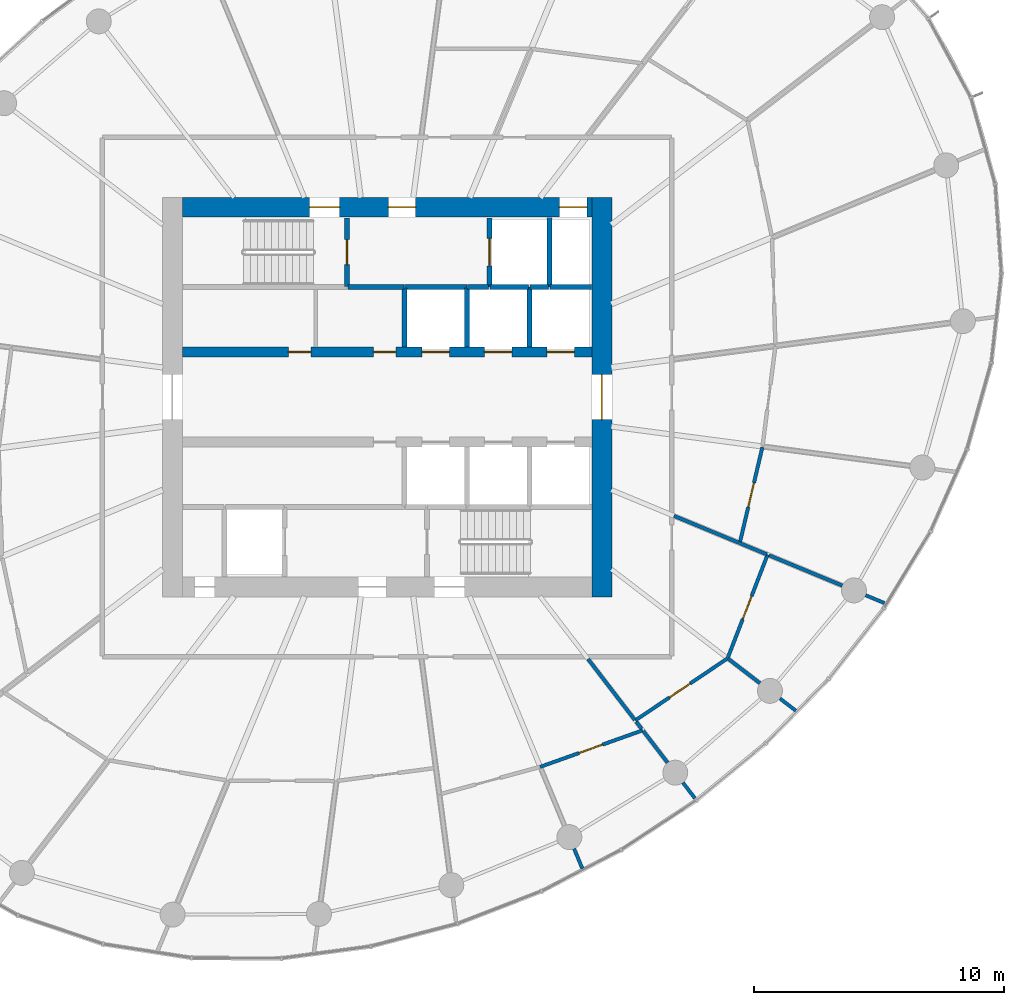
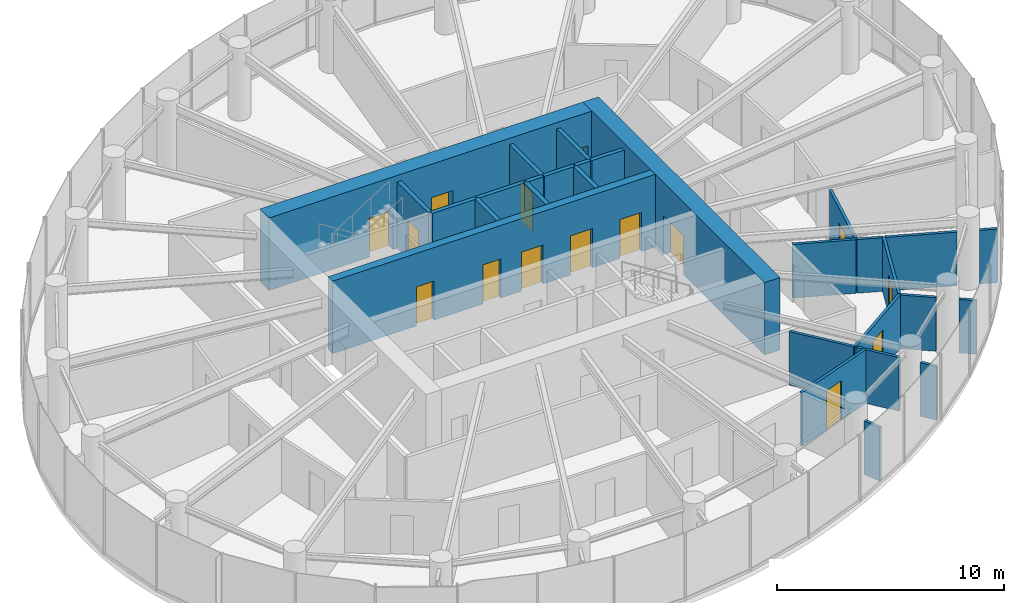
# One storey, part 10 of 14: 30 walls, 15 doors, 15 openings.
"""IFC4 building model written with IfcOpenShell, lengths in metres."""

from ifc_helpers import new_model, si_unit, direction, frame, frame_2d, origin, place, context, subcontext, project, spatial, rectangle, extrude, source, transform, mapped, material, layer, layer_set, type_object, element, fill, save


model = new_model("IFC4")

# Units and contexts
model_context = context("Model", 3, precision=1e-05, world=origin(), true_north=direction((0.0, 1.0)))
body_context = subcontext(model_context, "Body", "Model", "MODEL_VIEW")
ifc_project = project(units=[si_unit("LENGTHUNIT", "METRE"), si_unit("AREAUNIT", "SQUARE_METRE"), si_unit("VOLUMEUNIT", "CUBIC_METRE"), si_unit("PLANEANGLEUNIT", "RADIAN"), si_unit("MASSUNIT", "GRAM", prefix="KILO")], contexts=[model_context])

# Site, building, storey
site_placement = place(None, origin())
site = spatial("IfcSite", under=ifc_project, at=site_placement, CompositionType="ELEMENT")
building_placement = place(site_placement, origin())
building = spatial("IfcBuilding", under=site, at=building_placement, Name="Spindrift Exchange Tower", CompositionType="ELEMENT")
storey_placement = place(building_placement, frame((0.0, 0.0, 164.300048828125)))
storey = spatial("IfcBuildingStorey", under=building, at=storey_placement, Name="L39", CompositionType="ELEMENT", Elevation=164.300048828125)

# Wall, opening, door
ifc_material_1 = material(Name="Concrete 65 MPa", Category="concrete")
ifc_layer_1 = layer(ifc_material_1, 0.800048828125)
ifc_layer_set_1 = layer_set([ifc_layer_1], Name="RC Core Wall 800 Concrete 65 MPa")
wall_type_1 = type_object("IfcWallType", Name="RC Core Wall 800 Concrete 65 MPa", PredefinedType="SHEAR", material=ifc_layer_set_1)
wall_1_placement = place(storey_placement, frame((60.60009765625, 40.0, 0.0), z_axis=(0.0, 0.0, 1.0), x_axis=(0.0, 1.0, 0.0)))
wall_1 = element("IfcWall", 1, at=wall_1_placement, inside=storey, type_object=wall_type_1, Name="Core wall E L39", PredefinedType="SHEAR", context=body_context, shape_type="SweptSolid", body=[
    extrude(rectangle(XDim=16.0, YDim=0.800048828125, at=frame_2d((8.0, 0.0))), origin(), (0.0, 0.0, 1.0), 3.89990234375),
])
opening_1_placement = place(wall_1_placement, frame((7.10009765625, 0.0, 0.0)))
opening_1 = element("IfcOpeningElement", 2, at=opening_1_placement, cuts=wall_1, Name="Opening L39-D2", PredefinedType="OPENING", context=body_context, shape_type="SweptSolid", body=[
    extrude(rectangle(XDim=1.800048828125, YDim=2.10009765625, at=frame_2d((0.89990234375, 1.050048828125))), frame((0.0, 0.409912109375, 0.0), z_axis=(0.0, -1.0, 0.0), x_axis=(1.0, 0.0, 0.0)), (0.0, 0.0, 1.0), 0.820068359375),
])
ifc_material_2 = material(Name="Timber-core fire door", Category="wood")
door_type_1 = type_object("IfcDoorType", Name="DR-LOBBY-1800", OperationType="NOTDEFINED", PredefinedType="DOOR", material=ifc_material_2)
shared_shape_1 = source(origin(), body_context, "Body", "SweptSolid", [
    extrude(rectangle(XDim=1.800048828125, YDim=2.10009765625, at=frame_2d((0.89990234375, 1.050048828125))), frame((0.0, 0.02490234375, 0.0), z_axis=(0.0, -1.0, 0.0), x_axis=(1.0, 0.0, 0.0)), (0.0, 0.0, 1.0), 0.050048828125),
])
door_1_placement = place(opening_1_placement, origin())
door_1 = element("IfcDoor", 3, at=door_1_placement, inside=storey, type_object=door_type_1, Name="L39 Lobby door 2", OperationType="SINGLE_SWING_RIGHT", OverallHeight=2.10009765625, OverallWidth=1.800048828125, PredefinedType="DOOR", context=body_context, shape_type="MappedRepresentation", body=[
    mapped(shared_shape_1, transform((0.0, 0.0, 0.0), scale=1.0)),
])
fill(opening_1, door_1)

# Wall, openings, doors
wall_2_placement = place(storey_placement, frame((60.199951171875, 55.60009765625, 0.0), z_axis=(0.0, 0.0, 1.0), x_axis=(-1.0, 0.0, 0.0)))
wall_2 = element("IfcWall", 4, at=wall_2_placement, inside=storey, type_object=wall_type_1, Name="Core wall N L39", PredefinedType="SHEAR", context=body_context, shape_type="SweptSolid", body=[
    extrude(rectangle(XDim=16.39990234375, YDim=0.800048828125, at=frame_2d((8.199951171875, 0.0))), origin(), (0.0, 0.0, 1.0), 3.89990234375),
])
opening_2_placement = place(wall_2_placement, frame((0.199951171875, 0.0, 0.0)))
opening_2 = element("IfcOpeningElement", 5, at=opening_2_placement, cuts=wall_2, Name="Opening L39-D11", PredefinedType="OPENING", context=body_context, shape_type="SweptSolid", body=[
    extrude(rectangle(XDim=1.10009765625, YDim=2.10009765625, at=frame_2d((0.550048828125, 1.050048828125))), frame((0.0, 0.409912109375, 0.0), z_axis=(0.0, -1.0, 0.0), x_axis=(1.0, 0.0, 0.0)), (0.0, 0.0, 1.0), 0.820068359375),
])
opening_3_placement = place(wall_2_placement, frame((10.10009765625, 0.0, 0.0)))
opening_3 = element("IfcOpeningElement", 6, at=opening_3_placement, cuts=wall_2, Name="Opening L39-D12", PredefinedType="OPENING", context=body_context, shape_type="SweptSolid", body=[
    extrude(rectangle(XDim=1.199951171875, YDim=2.10009765625, at=frame_2d((0.60009765625, 1.050048828125))), frame((0.0, 0.409912109375, 0.0), z_axis=(0.0, -1.0, 0.0), x_axis=(1.0, 0.0, 0.0)), (0.0, 0.0, 1.0), 0.820068359375),
])
opening_4_placement = place(wall_2_placement, frame((7.050048828125, 0.0, 0.0)))
opening_4 = element("IfcOpeningElement", 7, at=opening_4_placement, cuts=wall_2, Name="Opening L39-D14", PredefinedType="OPENING", context=body_context, shape_type="SweptSolid", body=[
    extrude(rectangle(XDim=1.10009765625, YDim=2.10009765625, at=frame_2d((0.550048828125, 1.050048828125))), frame((0.0, 0.409912109375, 0.0), z_axis=(0.0, -1.0, 0.0), x_axis=(1.0, 0.0, 0.0)), (0.0, 0.0, 1.0), 0.820068359375),
])
ifc_material_3 = material(Name="Stainless steel landing door", Category="steel")
door_type_2 = type_object("IfcDoorType", Name="DR-LANDING-1100-SL", OperationType="DOUBLE_DOOR_SLIDING", PredefinedType="USERDEFINED", material=ifc_material_3)
shared_shape_2 = source(origin(), body_context, "Body", "SweptSolid", [
    extrude(rectangle(XDim=1.10009765625, YDim=2.10009765625, at=frame_2d((0.550048828125, 1.050048828125))), frame((0.0, 0.02490234375, 0.0), z_axis=(0.0, -1.0, 0.0), x_axis=(1.0, 0.0, 0.0)), (0.0, 0.0, 1.0), 0.050048828125),
])
door_2_placement = place(opening_2_placement, origin())
door_2 = element("IfcDoor", 8, at=door_2_placement, inside=storey, type_object=door_type_2, Name="L39 Lift landing door 11", ObjectType="LANDING DOOR", OperationType="DOUBLE_DOOR_SLIDING", OverallHeight=2.10009765625, OverallWidth=1.10009765625, PredefinedType="USERDEFINED", context=body_context, shape_type="MappedRepresentation", body=[
    mapped(shared_shape_2, transform((0.0, 0.0, 0.0), scale=1.0)),
])
fill(opening_2, door_2)
ifc_material_4 = material(Name="Steel fire door", Category="steel")
door_type_3 = type_object("IfcDoorType", Name="DR-STAIR-1200", OperationType="NOTDEFINED", PredefinedType="DOOR", material=ifc_material_4)
shared_shape_3 = source(origin(), body_context, "Body", "SweptSolid", [
    extrude(rectangle(XDim=1.199951171875, YDim=2.10009765625, at=frame_2d((0.60009765625, 1.050048828125))), frame((0.0, 0.02490234375, 0.0), z_axis=(0.0, -1.0, 0.0), x_axis=(1.0, 0.0, 0.0)), (0.0, 0.0, 1.0), 0.050048828125),
])
door_3_placement = place(opening_3_placement, origin())
door_3 = element("IfcDoor", 9, at=door_3_placement, inside=storey, type_object=door_type_3, Name="L39 Stair door 12", OperationType="SINGLE_SWING_LEFT", OverallHeight=2.10009765625, OverallWidth=1.199951171875, PredefinedType="DOOR", context=body_context, shape_type="MappedRepresentation", body=[
    mapped(shared_shape_3, transform((0.0, 0.0, 0.0), scale=1.0)),
])
fill(opening_3, door_3)
door_type_4 = type_object("IfcDoorType", Name="DR-LOBBY-1100", OperationType="NOTDEFINED", PredefinedType="DOOR", material=ifc_material_2)
shared_shape_4 = source(origin(), body_context, "Body", "SweptSolid", [
    extrude(rectangle(XDim=1.10009765625, YDim=2.10009765625, at=frame_2d((0.550048828125, 1.050048828125))), frame((0.0, 0.02490234375, 0.0), z_axis=(0.0, -1.0, 0.0), x_axis=(1.0, 0.0, 0.0)), (0.0, 0.0, 1.0), 0.050048828125),
])
door_4_placement = place(opening_4_placement, origin())
door_4 = element("IfcDoor", 10, at=door_4_placement, inside=storey, type_object=door_type_4, Name="L39 Lobby door 14", OperationType="SINGLE_SWING_LEFT", OverallHeight=2.10009765625, OverallWidth=1.10009765625, PredefinedType="DOOR", context=body_context, shape_type="MappedRepresentation", body=[
    mapped(shared_shape_4, transform((0.0, 0.0, 0.0), scale=1.0)),
])
fill(opening_4, door_4)

ifc_layer_2 = layer(ifc_material_1, 0.39990234375)
ifc_layer_set_2 = layer_set([ifc_layer_2], Name="RC Spine Wall 400 Concrete 65 MPa")
wall_type_2 = type_object("IfcWallType", Name="RC Spine Wall 400 Concrete 65 MPa", PredefinedType="SHEAR", material=ifc_layer_set_2)
wall_3_placement = place(storey_placement, frame((43.800048828125, 49.800048828125, 0.0), z_axis=(0.0, 0.0, 1.0), x_axis=(1.0, 0.0, 0.0)))
wall_3 = element("IfcWall", 11, at=wall_3_placement, inside=storey, type_object=wall_type_2, Name="Core spine wall N L39", PredefinedType="SHEAR", context=body_context, shape_type="SweptSolid", body=[
    extrude(rectangle(XDim=16.39990234375, YDim=0.39990234375, at=frame_2d((8.199951171875, 0.0))), origin(), (0.0, 0.0, 1.0), 3.89990234375),
])
opening_5_placement = place(wall_3_placement, frame((9.60009765625, 0.0, 0.0)))
opening_5 = element("IfcOpeningElement", 12, at=opening_5_placement, cuts=wall_3, Name="Opening L39-D3", PredefinedType="OPENING", context=body_context, shape_type="SweptSolid", body=[
    extrude(rectangle(XDim=1.10009765625, YDim=2.10009765625, at=frame_2d((0.550048828125, 1.050048828125))), frame((0.0, 0.2099609375, 0.0), z_axis=(0.0, -1.0, 0.0), x_axis=(1.0, 0.0, 0.0)), (0.0, 0.0, 1.0), 0.419921875),
])
opening_6_placement = place(wall_3_placement, frame((12.10009765625, 0.0, 0.0)))
opening_6 = element("IfcOpeningElement", 13, at=opening_6_placement, cuts=wall_3, Name="Opening L39-D4", PredefinedType="OPENING", context=body_context, shape_type="SweptSolid", body=[
    extrude(rectangle(XDim=1.10009765625, YDim=2.10009765625, at=frame_2d((0.550048828125, 1.050048828125))), frame((0.0, 0.2099609375, 0.0), z_axis=(0.0, -1.0, 0.0), x_axis=(1.0, 0.0, 0.0)), (0.0, 0.0, 1.0), 0.419921875),
])
opening_7_placement = place(wall_3_placement, frame((14.60009765625, 0.0, 0.0)))
opening_7 = element("IfcOpeningElement", 14, at=opening_7_placement, cuts=wall_3, Name="Opening L39-D5", PredefinedType="OPENING", context=body_context, shape_type="SweptSolid", body=[
    extrude(rectangle(XDim=1.10009765625, YDim=2.10009765625, at=frame_2d((0.550048828125, 1.050048828125))), frame((0.0, 0.2099609375, 0.0), z_axis=(0.0, -1.0, 0.0), x_axis=(1.0, 0.0, 0.0)), (0.0, 0.0, 1.0), 0.419921875),
])
opening_8_placement = place(wall_3_placement, frame((4.25, 0.0, 0.0)))
opening_8 = element("IfcOpeningElement", 15, at=opening_8_placement, cuts=wall_3, Name="Opening L39-D46", PredefinedType="OPENING", context=body_context, shape_type="SweptSolid", body=[
    extrude(rectangle(XDim=0.89990234375, YDim=2.10009765625, at=frame_2d((0.449951171875, 1.050048828125))), frame((0.0, 0.2099609375, 0.0), z_axis=(0.0, -1.0, 0.0), x_axis=(1.0, 0.0, 0.0)), (0.0, 0.0, 1.0), 0.419921875),
])
opening_9_placement = place(wall_3_placement, frame((7.64990234375, 0.0, 0.0)))
opening_9 = element("IfcOpeningElement", 16, at=opening_9_placement, cuts=wall_3, Name="Opening L39-D47", PredefinedType="OPENING", context=body_context, shape_type="SweptSolid", body=[
    extrude(rectangle(XDim=0.89990234375, YDim=2.10009765625, at=frame_2d((0.449951171875, 1.050048828125))), frame((0.0, 0.2099609375, 0.0), z_axis=(0.0, -1.0, 0.0), x_axis=(1.0, 0.0, 0.0)), (0.0, 0.0, 1.0), 0.419921875),
])
door_5_placement = place(opening_5_placement, origin())
door_5 = element("IfcDoor", 17, at=door_5_placement, inside=storey, type_object=door_type_2, Name="L39 Lift landing door 3", ObjectType="LANDING DOOR", OperationType="DOUBLE_DOOR_SLIDING", OverallHeight=2.10009765625, OverallWidth=1.10009765625, PredefinedType="USERDEFINED", context=body_context, shape_type="MappedRepresentation", body=[
    mapped(shared_shape_2, transform((0.0, 0.0, 0.0), scale=1.0)),
])
fill(opening_5, door_5)
door_6_placement = place(opening_6_placement, origin())
door_6 = element("IfcDoor", 18, at=door_6_placement, inside=storey, type_object=door_type_2, Name="L39 Lift landing door 4", ObjectType="LANDING DOOR", OperationType="DOUBLE_DOOR_SLIDING", OverallHeight=2.10009765625, OverallWidth=1.10009765625, PredefinedType="USERDEFINED", context=body_context, shape_type="MappedRepresentation", body=[
    mapped(shared_shape_2, transform((0.0, 0.0, 0.0), scale=1.0)),
])
fill(opening_6, door_6)
door_7_placement = place(opening_7_placement, origin())
door_7 = element("IfcDoor", 19, at=door_7_placement, inside=storey, type_object=door_type_2, Name="L39 Lift landing door 5", ObjectType="LANDING DOOR", OperationType="DOUBLE_DOOR_SLIDING", OverallHeight=2.10009765625, OverallWidth=1.10009765625, PredefinedType="USERDEFINED", context=body_context, shape_type="MappedRepresentation", body=[
    mapped(shared_shape_2, transform((0.0, 0.0, 0.0), scale=1.0)),
])
fill(opening_7, door_7)
ifc_material_5 = material(Name="Steel access door", Category="steel")
door_type_5 = type_object("IfcDoorType", Name="DR-RISER-900", OperationType="NOTDEFINED", PredefinedType="DOOR", material=ifc_material_5)
shared_shape_5 = source(origin(), body_context, "Body", "SweptSolid", [
    extrude(rectangle(XDim=0.89990234375, YDim=2.10009765625, at=frame_2d((0.449951171875, 1.050048828125))), frame((0.0, 0.02490234375, 0.0), z_axis=(0.0, -1.0, 0.0), x_axis=(1.0, 0.0, 0.0)), (0.0, 0.0, 1.0), 0.050048828125),
])
door_8_placement = place(opening_8_placement, origin())
door_8 = element("IfcDoor", 20, at=door_8_placement, inside=storey, type_object=door_type_5, Name="L39 Riser door 46", OperationType="SINGLE_SWING_LEFT", OverallHeight=2.10009765625, OverallWidth=0.89990234375, PredefinedType="DOOR", context=body_context, shape_type="MappedRepresentation", body=[
    mapped(shared_shape_5, transform((0.0, 0.0, 0.0), scale=1.0)),
])
fill(opening_8, door_8)
door_9_placement = place(opening_9_placement, origin())
door_9 = element("IfcDoor", 21, at=door_9_placement, inside=storey, type_object=door_type_5, Name="L39 Riser door 47", OperationType="SINGLE_SWING_RIGHT", OverallHeight=2.10009765625, OverallWidth=0.89990234375, PredefinedType="DOOR", context=body_context, shape_type="MappedRepresentation", body=[
    mapped(shared_shape_5, transform((0.0, 0.0, 0.0), scale=1.0)),
])
fill(opening_9, door_9)

# Wall, opening, door
ifc_material_6 = material(Name="Fire-rated plasterboard partition", Category="gypsum")
ifc_layer_3 = layer(ifc_material_6, 0.139892578125)
ifc_layer_set_3 = layer_set([ifc_layer_3], Name="W-PART-140")
wall_type_3 = type_object("IfcWallType", Name="W-PART-140", PredefinedType="PARTITIONING", material=ifc_layer_set_3)
wall_4_placement = place(storey_placement, frame((65.639404296875, 37.5341796875, 0.0), z_axis=(0.0, 0.0, 1.0), x_axis=(-0.829726260186, -0.558170523368, 0.0)))
wall_4 = element("IfcWall", 22, at=wall_4_placement, inside=storey, type_object=wall_type_3, Name="L39 Partition wall 52", PredefinedType="PARTITIONING", context=body_context, shape_type="SweptSolid", body=[
    extrude(rectangle(XDim=4.458251953125, YDim=0.139892578125, at=frame_2d((2.22900390625, 0.0))), origin(), (0.0, 0.0, 1.0), 2.8798828125),
])
opening_10_placement = place(wall_4_placement, frame((1.808349609375, 0.0, 0.0)))
opening_10 = element("IfcOpeningElement", 23, at=opening_10_placement, cuts=wall_4, Name="Opening L39-D37", PredefinedType="OPENING", context=body_context, shape_type="SweptSolid", body=[
    extrude(rectangle(XDim=1.0, YDim=2.10009765625, at=frame_2d((0.5, 1.050048828125))), frame((0.0, 0.079833984375, 0.0), z_axis=(0.0, -1.0, 0.0), x_axis=(1.0, 0.0, 0.0)), (0.0, 0.0, 1.0), 0.159912109375),
])
door_type_6 = type_object("IfcDoorType", Name="DR-ROOM-1000", OperationType="NOTDEFINED", PredefinedType="DOOR", material=ifc_material_2)
shared_shape_6 = source(origin(), body_context, "Body", "SweptSolid", [
    extrude(rectangle(XDim=1.0, YDim=2.10009765625, at=frame_2d((0.5, 1.050048828125))), frame((0.0, 0.02490234375, 0.0), z_axis=(0.0, -1.0, 0.0), x_axis=(1.0, 0.0, 0.0)), (0.0, 0.0, 1.0), 0.050048828125),
])
door_10_placement = place(opening_10_placement, origin())
door_10 = element("IfcDoor", 24, at=door_10_placement, inside=storey, type_object=door_type_6, Name="L39 Door 37", OperationType="SINGLE_SWING_RIGHT", OverallHeight=2.10009765625, OverallWidth=1.0, PredefinedType="DOOR", context=body_context, shape_type="MappedRepresentation", body=[
    mapped(shared_shape_6, transform((0.0, 0.0, 0.0), scale=1.0)),
])
fill(opening_10, door_10)

wall_5_placement = place(storey_placement, frame((67.2412109375, 41.68701171875, 0.0), z_axis=(0.0, 0.0, 1.0), x_axis=(-0.359870694831, -0.933002188101, 0.0)))
wall_5 = element("IfcWall", 25, at=wall_5_placement, inside=storey, type_object=wall_type_3, Name="L39 Partition wall 53", PredefinedType="PARTITIONING", context=body_context, shape_type="SweptSolid", body=[
    extrude(rectangle(XDim=4.421142578125, YDim=0.139892578125, at=frame_2d((2.21044921875, 0.0))), origin(), (0.0, 0.0, 1.0), 2.8798828125),
])
opening_11_placement = place(wall_5_placement, frame((1.77099609375, 0.0, 0.0)))
opening_11 = element("IfcOpeningElement", 26, at=opening_11_placement, cuts=wall_5, Name="Opening L39-D38", PredefinedType="OPENING", context=body_context, shape_type="SweptSolid", body=[
    extrude(rectangle(XDim=1.0, YDim=2.10009765625, at=frame_2d((0.5, 1.050048828125))), frame((0.0, 0.079833984375, 0.0), z_axis=(0.0, -1.0, 0.0), x_axis=(1.0, 0.0, 0.0)), (0.0, 0.0, 1.0), 0.159912109375),
])
door_11_placement = place(opening_11_placement, origin())
door_11 = element("IfcDoor", 27, at=door_11_placement, inside=storey, type_object=door_type_6, Name="L39 Door 38", OperationType="SINGLE_SWING_LEFT", OverallHeight=2.10009765625, OverallWidth=1.0, PredefinedType="DOOR", context=body_context, shape_type="MappedRepresentation", body=[
    mapped(shared_shape_6, transform((0.0, 0.0, 0.0), scale=1.0)),
])
fill(opening_11, door_11)

# Walls
wall_6_placement = place(storey_placement, frame((66.127197265625, 42.148193359375, 0.0), z_axis=(0.0, 0.0, 1.0), x_axis=(0.923940913117, -0.382535212848, 0.0)))
element("IfcWall", 28, at=wall_6_placement, inside=storey, type_object=wall_type_3, Name="L39 Partition wall 54", PredefinedType="PARTITIONING", context=body_context, shape_type="SweptSolid", body=[
    extrude(rectangle(XDim=1.175537109375, YDim=0.139892578125, at=frame_2d((0.587890625, 0.0))), origin(), (0.0, 0.0, 1.0), 2.8798828125),
])
wall_7_placement = place(storey_placement, frame((67.305908203125, 41.66015625, 0.0), z_axis=(0.0, 0.0, 1.0), x_axis=(0.923868420414, -0.38271025824, 0.0)))
element("IfcWall", 29, at=wall_7_placement, inside=storey, type_object=wall_type_3, Name="L39 Partition wall 55", PredefinedType="PARTITIONING", context=body_context, shape_type="SweptSolid", body=[
    extrude(rectangle(XDim=3.16796875, YDim=0.139892578125, at=frame_2d((1.583984375, 0.0))), origin(), (0.0, 0.0, 1.0), 2.8798828125),
])

# Wall, opening, door
wall_8_placement = place(storey_placement, frame((62.24169921875, 34.65283203125, 0.0), z_axis=(0.0, 0.0, 1.0), x_axis=(-0.94188625398, -0.335931964187, 0.0)))
wall_8 = element("IfcWall", 30, at=wall_8_placement, inside=storey, type_object=wall_type_3, Name="L39 Partition wall 56", PredefinedType="PARTITIONING", context=body_context, shape_type="SweptSolid", body=[
    extrude(rectangle(XDim=4.35986328125, YDim=0.139892578125, at=frame_2d((2.179931640625, 0.0))), origin(), (0.0, 0.0, 1.0), 2.8798828125),
])
opening_12_placement = place(wall_8_placement, frame((1.709716796875, 0.0, 0.0)))
opening_12 = element("IfcOpeningElement", 31, at=opening_12_placement, cuts=wall_8, Name="Opening L39-D35", PredefinedType="OPENING", context=body_context, shape_type="SweptSolid", body=[
    extrude(rectangle(XDim=1.0, YDim=2.10009765625, at=frame_2d((0.5, 1.050048828125))), frame((0.0, 0.079833984375, 0.0), z_axis=(0.0, -1.0, 0.0), x_axis=(1.0, 0.0, 0.0)), (0.0, 0.0, 1.0), 0.159912109375),
])
door_12_placement = place(opening_12_placement, origin())
door_12 = element("IfcDoor", 32, at=door_12_placement, inside=storey, type_object=door_type_6, Name="L39 Door 35", OperationType="SINGLE_SWING_RIGHT", OverallHeight=2.10009765625, OverallWidth=1.0, PredefinedType="DOOR", context=body_context, shape_type="MappedRepresentation", body=[
    mapped(shared_shape_6, transform((0.0, 0.0, 0.0), scale=1.0)),
])
fill(opening_12, door_12)

# Wall
wall_9_placement = place(storey_placement, frame((63.489990234375, 43.24072265625, 0.0), z_axis=(0.0, 0.0, 1.0), x_axis=(0.92389569038, -0.38264442149, 0.0)))
element("IfcWall", 33, at=wall_9_placement, inside=storey, type_object=wall_type_3, Name="L39 Partition wall 63", PredefinedType="PARTITIONING", context=body_context, shape_type="SweptSolid", body=[
    extrude(rectangle(XDim=2.824462890625, YDim=0.139892578125, at=frame_2d((1.412109375, 0.0))), origin(), (0.0, 0.0, 1.0), 2.8798828125),
])

# Wall, opening, door
wall_10_placement = place(storey_placement, frame((67.03173828125, 45.990966796875, 0.0), z_axis=(0.0, 0.0, 1.0), x_axis=(-0.229140061488, -0.973393462183, 0.0)))
wall_10 = element("IfcWall", 34, at=wall_10_placement, inside=storey, type_object=wall_type_3, Name="L39 Partition wall 68", PredefinedType="PARTITIONING", context=body_context, shape_type="SweptSolid", body=[
    extrude(rectangle(XDim=3.917724609375, YDim=0.139892578125, at=frame_2d((1.958984375, 0.0))), origin(), (0.0, 0.0, 1.0), 2.8798828125),
])
opening_13_placement = place(wall_10_placement, frame((1.4677734375, 0.0, 0.0)))
opening_13 = element("IfcOpeningElement", 35, at=opening_13_placement, cuts=wall_10, Name="Opening L39-D40", PredefinedType="OPENING", context=body_context, shape_type="SweptSolid", body=[
    extrude(rectangle(XDim=1.0, YDim=2.10009765625, at=frame_2d((0.5, 1.050048828125))), frame((0.0, 0.079833984375, 0.0), z_axis=(0.0, -1.0, 0.0), x_axis=(1.0, 0.0, 0.0)), (0.0, 0.0, 1.0), 0.159912109375),
])
door_13_placement = place(opening_13_placement, origin())
door_13 = element("IfcDoor", 36, at=door_13_placement, inside=storey, type_object=door_type_6, Name="L39 Door 40", OperationType="SINGLE_SWING_LEFT", OverallHeight=2.10009765625, OverallWidth=1.0, PredefinedType="DOOR", context=body_context, shape_type="MappedRepresentation", body=[
    mapped(shared_shape_6, transform((0.0, 0.0, 0.0), scale=1.0)),
])
fill(opening_13, door_13)

# Walls
wall_11_placement = place(storey_placement, frame((60.04931640625, 37.510009765625, 0.0), z_axis=(0.0, 0.0, 1.0), x_axis=(0.608763032439, -0.793352109933, 0.0)))
element("IfcWall", 37, at=wall_11_placement, inside=storey, type_object=wall_type_3, Name="L39 Partition wall 72", PredefinedType="PARTITIONING", context=body_context, shape_type="SweptSolid", body=[
    extrude(rectangle(XDim=3.076416015625, YDim=0.139892578125, at=frame_2d((1.5380859375, 0.0))), origin(), (0.0, 0.0, 1.0), 2.8798828125),
])
wall_12_placement = place(storey_placement, frame((62.260009765625, 34.629150390625, 0.0), z_axis=(0.0, 0.0, 1.0), x_axis=(0.608629524716, -0.793454536596, 0.0)))
element("IfcWall", 38, at=wall_12_placement, inside=storey, type_object=wall_type_3, Name="L39 Partition wall 75", PredefinedType="PARTITIONING", context=body_context, shape_type="SweptSolid", body=[
    extrude(rectangle(XDim=1.60498046875, YDim=0.139892578125, at=frame_2d((0.802490234375, 0.0))), origin(), (0.0, 0.0, 1.0), 2.8798828125),
])
wall_13_placement = place(storey_placement, frame((65.6630859375, 37.515869140625, 0.0), z_axis=(0.0, 0.0, 1.0), x_axis=(0.793341796664, -0.608776472661, 0.0)))
element("IfcWall", 39, at=wall_13_placement, inside=storey, type_object=wall_type_3, Name="L39 Partition wall 76", PredefinedType="PARTITIONING", context=body_context, shape_type="SweptSolid", body=[
    extrude(rectangle(XDim=1.6044921875, YDim=0.139892578125, at=frame_2d((0.80224609375, 0.0))), origin(), (0.0, 0.0, 1.0), 2.8798828125),
])
wall_14_placement = place(storey_placement, frame((59.494140625, 29.90771484375, 0.0), z_axis=(0.0, 0.0, 1.0), x_axis=(0.38261179702, -0.923909201589, 0.0)))
element("IfcWall", 40, at=wall_14_placement, inside=storey, type_object=wall_type_3, Name="L39 Partition wall 86", PredefinedType="PARTITIONING", context=body_context, shape_type="SweptSolid", body=[
    extrude(rectangle(XDim=0.85693359375, YDim=0.139892578125, at=frame_2d((0.428466796875, 0.0))), origin(), (0.0, 0.0, 1.0), 2.8798828125),
])
wall_15_placement = place(storey_placement, frame((71.166015625, 40.061279296875, 0.0), z_axis=(0.0, 0.0, 1.0), x_axis=(0.923798714545, -0.382878485951, 0.0)))
element("IfcWall", 41, at=wall_15_placement, inside=storey, type_object=wall_type_3, Name="L39 Partition wall 94", PredefinedType="PARTITIONING", context=body_context, shape_type="SweptSolid", body=[
    extrude(rectangle(XDim=0.81884765625, YDim=0.139892578125, at=frame_2d((0.409423828125, 0.0))), origin(), (0.0, 0.0, 1.0), 2.8798828125),
])
wall_16_placement = place(storey_placement, frame((67.736572265625, 35.9248046875, 0.0), z_axis=(0.0, 0.0, 1.0), x_axis=(0.793295559338, -0.608836723215, 0.0)))
element("IfcWall", 42, at=wall_16_placement, inside=storey, type_object=wall_type_3, Name="L39 Partition wall 95", PredefinedType="PARTITIONING", context=body_context, shape_type="SweptSolid", body=[
    extrude(rectangle(XDim=0.796875, YDim=0.139892578125, at=frame_2d((0.3984375, 0.0))), origin(), (0.0, 0.0, 1.0), 2.8798828125),
])
wall_17_placement = place(storey_placement, frame((63.85107421875, 32.555419921875, 0.0), z_axis=(0.0, 0.0, 1.0), x_axis=(0.60871867817, -0.793386142334, 0.0)))
element("IfcWall", 43, at=wall_17_placement, inside=storey, type_object=wall_type_3, Name="L39 Partition wall 96", PredefinedType="PARTITIONING", context=body_context, shape_type="SweptSolid", body=[
    extrude(rectangle(XDim=0.785400390625, YDim=0.139892578125, at=frame_2d((0.392578125, 0.0))), origin(), (0.0, 0.0, 1.0), 2.8798828125),
])
wall_18_placement = place(storey_placement, frame((61.98291015625, 34.989990234375, 0.0), z_axis=(0.0, 0.0, 1.0), x_axis=(0.609072866583, -0.793114268686, 0.0)))
element("IfcWall", 44, at=wall_18_placement, inside=storey, type_object=wall_type_3, Name="L39 Partition wall 97", PredefinedType="PARTITIONING", context=body_context, shape_type="SweptSolid", body=[
    extrude(rectangle(XDim=0.3515625, YDim=0.139892578125, at=frame_2d((0.17578125, 0.0))), origin(), (0.0, 0.0, 1.0), 2.8798828125),
])

# Wall, opening, door
ifc_material_7 = material(Name="Concrete 40 MPa", Category="concrete")
ifc_layer_4 = layer(ifc_material_7, 0.199951171875)
ifc_layer_set_4 = layer_set([ifc_layer_4], Name="W-SHAFT-200")
wall_type_4 = type_object("IfcWallType", Name="W-SHAFT-200", PredefinedType="SOLIDWALL", material=ifc_layer_set_4)
wall_19_placement = place(storey_placement, frame((56.10009765625, 55.179931640625, 0.0), z_axis=(0.0, 0.0, 1.0), x_axis=(0.0, -1.0, 0.0)))
wall_19 = element("IfcWall", 45, at=wall_19_placement, inside=storey, type_object=wall_type_4, Name="L39 Shaft wall 7", PredefinedType="SOLIDWALL", context=body_context, shape_type="SweptSolid", body=[
    extrude(rectangle(XDim=2.780029296875, YDim=0.199951171875, at=frame_2d((1.39013671875, 0.0))), origin(), (0.0, 0.0, 1.0), 3.579833984375),
])
opening_14_placement = place(wall_19_placement, frame((0.830078125, 0.0, 0.0)))
opening_14 = element("IfcOpeningElement", 46, at=opening_14_placement, cuts=wall_19, Name="Opening L39-D9", PredefinedType="OPENING", context=body_context, shape_type="SweptSolid", body=[
    extrude(rectangle(XDim=1.10009765625, YDim=2.10009765625, at=frame_2d((0.550048828125, 1.050048828125))), frame((0.0, 0.10986328125, 0.0), z_axis=(0.0, -1.0, 0.0), x_axis=(1.0, 0.0, 0.0)), (0.0, 0.0, 1.0), 0.219970703125),
])
door_14_placement = place(opening_14_placement, origin())
door_14 = element("IfcDoor", 47, at=door_14_placement, inside=storey, type_object=door_type_2, Name="L39 Lift landing door 9", ObjectType="LANDING DOOR", OperationType="DOUBLE_DOOR_SLIDING", OverallHeight=2.10009765625, OverallWidth=1.10009765625, PredefinedType="USERDEFINED", context=body_context, shape_type="MappedRepresentation", body=[
    mapped(shared_shape_2, transform((0.0, 0.0, 0.0), scale=1.0)),
])
fill(opening_14, door_14)

# Walls
wall_20_placement = place(storey_placement, frame((58.5, 52.39990234375, 0.0), z_axis=(0.0, 0.0, 1.0), x_axis=(0.0, 1.0, 0.0)))
element("IfcWall", 48, at=wall_20_placement, inside=storey, type_object=wall_type_4, Name="L39 Shaft wall 8", PredefinedType="SOLIDWALL", context=body_context, shape_type="SweptSolid", body=[
    extrude(rectangle(XDim=2.780029296875, YDim=0.199951171875, at=frame_2d((1.39013671875, 0.0))), origin(), (0.0, 0.0, 1.0), 3.579833984375),
])
wall_21_placement = place(storey_placement, frame((55.199951171875, 52.39990234375, 0.0), z_axis=(0.0, 0.0, 1.0), x_axis=(-1.0, 0.0, 0.0)))
element("IfcWall", 49, at=wall_21_placement, inside=storey, type_object=wall_type_4, Name="L39 Shaft wall 9", PredefinedType="SOLIDWALL", context=body_context, shape_type="SweptSolid", body=[
    extrude(rectangle(XDim=2.5, YDim=0.199951171875, at=frame_2d((1.25, 0.0))), origin(), (0.0, 0.0, 1.0), 3.579833984375),
])
for number, where, z_axis, x_axis, name in (
    (50, (52.699951171875, 52.3701171875, 0.0), (0.0, 0.0, 1.0), (0.0, -1.0, 0.0), "L39 Shaft wall 14"),
    (51, (55.199951171875, 50.010009765625, 0.0), (0.0, 0.0, 1.0), (0.0, 1.0, 0.0), "L39 Shaft wall 16"),
):
    element("IfcWall", number, at=place(storey_placement, frame(where, z_axis=z_axis, x_axis=x_axis)), inside=storey, type_object=wall_type_4, Name=name, PredefinedType="SOLIDWALL", context=body_context, shape_type="SweptSolid", body=[
        extrude(rectangle(XDim=2.360107421875, YDim=0.199951171875, at=frame_2d((1.18017578125, 0.0))), origin(), (0.0, 0.0, 1.0), 3.579833984375),
    ])
wall_22_placement = place(storey_placement, frame((57.699951171875, 50.010009765625, 0.0), z_axis=(0.0, 0.0, 1.0), x_axis=(0.0, 1.0, 0.0)))
element("IfcWall", 52, at=wall_22_placement, inside=storey, type_object=wall_type_4, Name="L39 Shaft wall 18", PredefinedType="SOLIDWALL", context=body_context, shape_type="SweptSolid", body=[
    extrude(rectangle(XDim=2.389892578125, YDim=0.199951171875, at=frame_2d((1.19482421875, 0.0))), origin(), (0.0, 0.0, 1.0), 3.579833984375),
])
wall_23_placement = place(storey_placement, frame((60.179931640625, 52.39990234375, 0.0), z_axis=(0.0, 0.0, 1.0), x_axis=(-1.0, 0.0, 0.0)))
element("IfcWall", 53, at=wall_23_placement, inside=storey, type_object=wall_type_4, Name="L39 Shaft wall 21", PredefinedType="SOLIDWALL", context=body_context, shape_type="SweptSolid", body=[
    extrude(rectangle(XDim=1.64990234375, YDim=0.199951171875, at=frame_2d((0.824951171875, 0.0))), origin(), (0.0, 0.0, 1.0), 3.579833984375),
])
wall_24_placement = place(storey_placement, frame((57.669921875, 52.39990234375, 0.0), z_axis=(0.0, 0.0, 1.0), x_axis=(-1.0, 0.0, 0.0)))
element("IfcWall", 54, at=wall_24_placement, inside=storey, type_object=wall_type_4, Name="L39 Shaft wall 23", PredefinedType="SOLIDWALL", context=body_context, shape_type="SweptSolid", body=[
    extrude(rectangle(XDim=1.5400390625, YDim=0.199951171875, at=frame_2d((0.77001953125, 0.0))), origin(), (0.0, 0.0, 1.0), 3.579833984375),
])
wall_25_placement = place(storey_placement, frame((56.070068359375, 52.39990234375, 0.0), z_axis=(0.0, 0.0, 1.0), x_axis=(-1.0, 0.0, 0.0)))
element("IfcWall", 55, at=wall_25_placement, inside=storey, type_object=wall_type_4, Name="L39 Shaft wall 25", PredefinedType="SOLIDWALL", context=body_context, shape_type="SweptSolid", body=[
    extrude(rectangle(XDim=0.840087890625, YDim=0.199951171875, at=frame_2d((0.419921875, 0.0))), origin(), (0.0, 0.0, 1.0), 3.579833984375),
])
wall_26_placement = place(storey_placement, frame((58.469970703125, 52.39990234375, 0.0), z_axis=(0.0, 0.0, 1.0), x_axis=(-1.0, 0.0, 0.0)))
element("IfcWall", 56, at=wall_26_placement, inside=storey, type_object=wall_type_4, Name="L39 Shaft wall 26", PredefinedType="SOLIDWALL", context=body_context, shape_type="SweptSolid", body=[
    extrude(rectangle(XDim=0.739990234375, YDim=0.199951171875, at=frame_2d((0.3701171875, 0.0))), origin(), (0.0, 0.0, 1.0), 3.579833984375),
])

# Wall, opening, door
ifc_layer_5 = layer(ifc_material_7, 0.199951171875)
ifc_layer_set_5 = layer_set([ifc_layer_5], Name="W-SHAFT-200-LB")
wall_type_5 = type_object("IfcWallType", Name="W-SHAFT-200-LB", PredefinedType="SOLIDWALL", material=ifc_layer_set_5)
wall_27_placement = place(storey_placement, frame((50.39990234375, 52.429931640625, 0.0), z_axis=(0.0, 0.0, 1.0), x_axis=(0.0, 1.0, 0.0)))
wall_27 = element("IfcWall", 57, at=wall_27_placement, inside=storey, type_object=wall_type_5, Name="L39 Shaft wall 5", PredefinedType="SOLIDWALL", context=body_context, shape_type="SweptSolid", body=[
    extrude(rectangle(XDim=2.75, YDim=0.199951171875, at=frame_2d((1.375, 0.0))), origin(), (0.0, 0.0, 1.0), 3.579833984375),
])
opening_15_placement = place(wall_27_placement, frame((0.8701171875, 0.0, 0.0)))
opening_15 = element("IfcOpeningElement", 58, at=opening_15_placement, cuts=wall_27, Name="Opening L39-D13", PredefinedType="OPENING", context=body_context, shape_type="SweptSolid", body=[
    extrude(rectangle(XDim=1.0, YDim=2.10009765625, at=frame_2d((0.5, 1.050048828125))), frame((0.0, 0.10986328125, 0.0), z_axis=(0.0, -1.0, 0.0), x_axis=(1.0, 0.0, 0.0)), (0.0, 0.0, 1.0), 0.219970703125),
])
door_type_7 = type_object("IfcDoorType", Name="DR-STAIR-1000", OperationType="NOTDEFINED", PredefinedType="DOOR", material=ifc_material_4)
shared_shape_7 = source(origin(), body_context, "Body", "SweptSolid", [
    extrude(rectangle(XDim=1.0, YDim=2.10009765625, at=frame_2d((0.5, 1.050048828125))), frame((0.0, 0.02490234375, 0.0), z_axis=(0.0, -1.0, 0.0), x_axis=(1.0, 0.0, 0.0)), (0.0, 0.0, 1.0), 0.050048828125),
])
door_15_placement = place(opening_15_placement, origin())
door_15 = element("IfcDoor", 59, at=door_15_placement, inside=storey, type_object=door_type_7, Name="L39 Stair door 13", OperationType="SINGLE_SWING_RIGHT", OverallHeight=2.10009765625, OverallWidth=1.0, PredefinedType="DOOR", context=body_context, shape_type="MappedRepresentation", body=[
    mapped(shared_shape_7, transform((0.0, 0.0, 0.0), scale=1.0)),
])
fill(opening_15, door_15)

# Wall
wall_28_placement = place(storey_placement, frame((50.429931640625, 52.39990234375, 0.0), z_axis=(0.0, 0.0, 1.0), x_axis=(1.0, 0.0, 0.0)))
element("IfcWall", 60, at=wall_28_placement, inside=storey, type_object=wall_type_5, Name="L39 Shaft wall 19", PredefinedType="SOLIDWALL", context=body_context, shape_type="SweptSolid", body=[
    extrude(rectangle(XDim=2.239990234375, YDim=0.199951171875, at=frame_2d((1.1201171875, 0.0))), origin(), (0.0, 0.0, 1.0), 3.579833984375),
])

save(model, "model.ifc")
